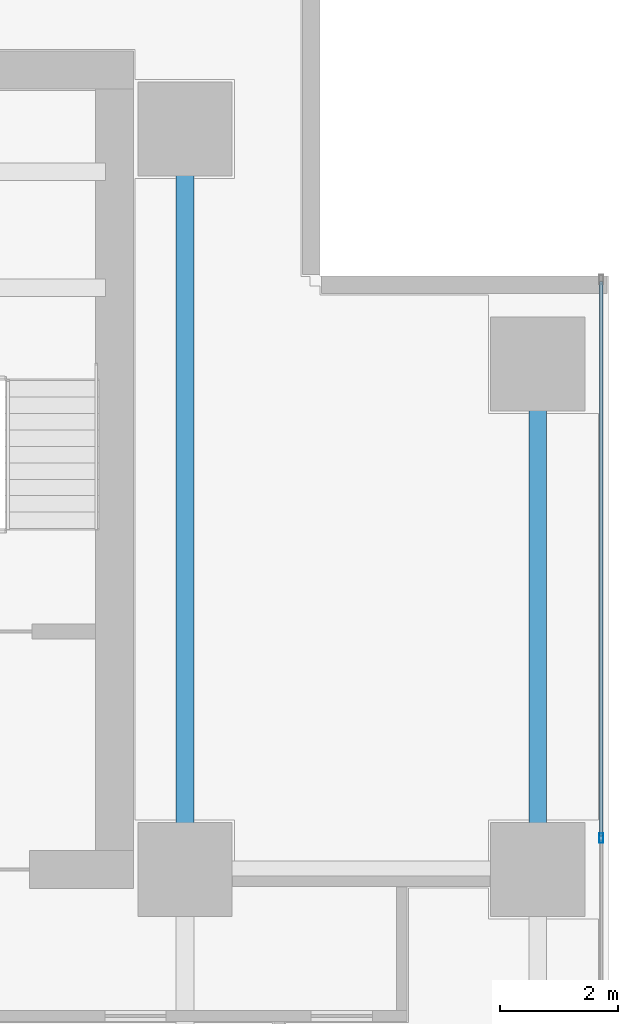
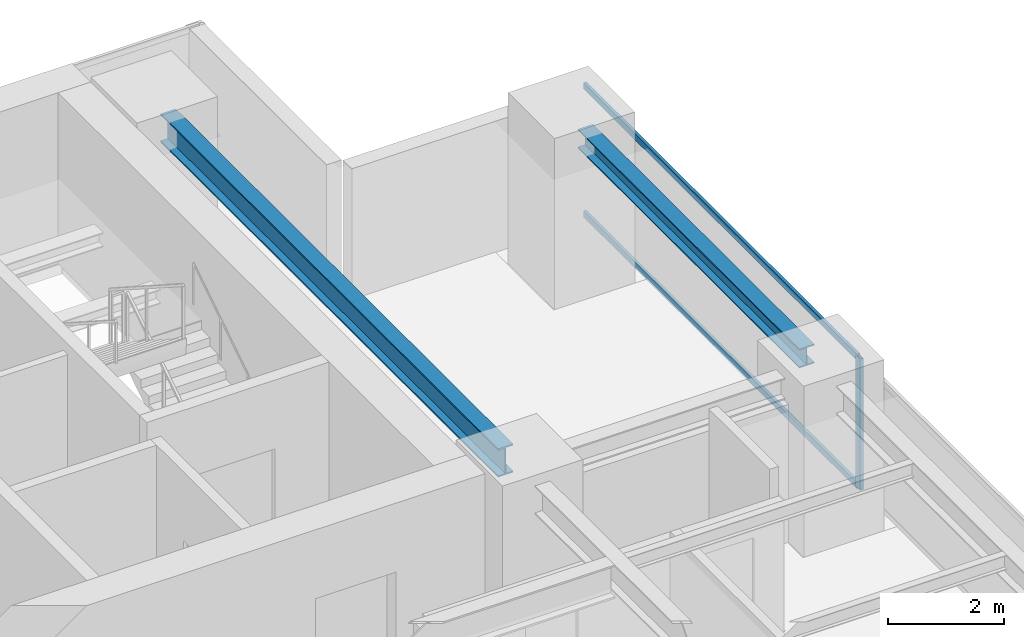
# One storey, part 18 of 28: 3 members, 2 beams, 1 element without a shape of its own.
"""IFC4 building model written with IfcOpenShell, lengths in metres."""

from ifc_helpers import new_model, si_unit, direction, frame, origin, origin_2d, place, context, subcontext, project, spatial, hollow_rectangle, i_section, extrude, source, transform, mapped, material, layer, layer_set, material_profile, profile_set, type_object, element, aggregate, save


model = new_model("IFC4")

# Units and contexts
model_context = context("Model", 3, precision=1e-05, world=origin(), true_north=direction((0.0, 1.0)))
body_context = subcontext(model_context, "Body", "Model", "MODEL_VIEW")
ifc_project = project(units=[si_unit("LENGTHUNIT", "METRE"), si_unit("AREAUNIT", "SQUARE_METRE"), si_unit("VOLUMEUNIT", "CUBIC_METRE"), si_unit("PLANEANGLEUNIT", "RADIAN"), si_unit("MASSUNIT", "GRAM", prefix="KILO")], contexts=[model_context])

# Site, building, storey
site_placement = place(None, origin())
site = spatial("IfcSite", under=ifc_project, at=site_placement, CompositionType="ELEMENT")
building_placement = place(site_placement, origin())
building = spatial("IfcBuilding", under=site, at=building_placement, Name="Sumidabori Civic Tower", CompositionType="ELEMENT")
storey_placement = place(building_placement, frame((0.0, 0.0, 171.199951171875)))
storey = spatial("IfcBuildingStorey", under=building, at=storey_placement, Name="L44", CompositionType="ELEMENT", Elevation=171.199951171875)

# Beams
ifc_material_1 = material(Name="Steel SN490", Category="steel")
ifc_material_profile_1 = material_profile(ifc_material_1, i_section(OverallWidth=0.300048828125, OverallDepth=0.39990234375, WebThickness=0.013427734375, FlangeThickness=0.02392578125, at=origin_2d()), Name="HE 400 B")
ifc_profile_set_1 = profile_set([ifc_material_profile_1], Name="Steel SN490")
beam_type_1 = type_object("IfcBeamType", Name="BM-GIRD-400", PredefinedType="BEAM", material=ifc_profile_set_1)
shared_shape_1 = source(origin(), body_context, "Body", "SweptSolid", [
    extrude(i_section(OverallWidth=0.300048828125, OverallDepth=0.39990234375, WebThickness=0.013427734375, FlangeThickness=0.02392578125, at=origin_2d()), origin(), (0.0, 0.0, 1.0), 7.64013671875),
])
beam_1_placement = place(storey_placement, frame((22.800048828125, 10.679931640625, 3.179931640625), z_axis=(0.0, 1.0, 0.0), x_axis=(-1.0, 0.0, 0.0)))
element("IfcBeam", 1, at=beam_1_placement, inside=storey, type_object=beam_type_1, Name="Primary Girder L44 GY-38", PredefinedType="BEAM", context=body_context, shape_type="MappedRepresentation", body=[
    mapped(shared_shape_1, transform((0.0, 0.0, 0.0), x_axis=(1.0, 0.0, 0.0), y_axis=(0.0, 1.0, 0.0), z_axis=(0.0, 0.0, 1.0), scale=1.0)),
])
ifc_material_profile_2 = material_profile(ifc_material_1, i_section(OverallWidth=0.300048828125, OverallDepth=0.60009765625, WebThickness=0.015380859375, FlangeThickness=0.030029296875, at=origin_2d()), Name="HE 600 B")
ifc_profile_set_2 = profile_set([ifc_material_profile_2], Name="Steel SN490")
beam_type_2 = type_object("IfcBeamType", Name="BM-GIRD-600", PredefinedType="BEAM", material=ifc_profile_set_2)
shared_shape_2 = source(origin(), body_context, "Body", "SweptSolid", [
    extrude(i_section(OverallWidth=0.300048828125, OverallDepth=0.60009765625, WebThickness=0.015380859375, FlangeThickness=0.030029296875, at=origin_2d()), origin(), (0.0, 0.0, 1.0), 11.64013671875),
])
beam_2_placement = place(storey_placement, frame((16.800048828125, 10.679931640625, 3.080078125), z_axis=(0.0, 1.0, 0.0), x_axis=(-1.0, 0.0, 0.0)))
element("IfcBeam", 2, at=beam_2_placement, inside=storey, type_object=beam_type_2, Name="Primary Girder L44 GY-35", PredefinedType="BEAM", context=body_context, shape_type="MappedRepresentation", body=[
    mapped(shared_shape_2, transform((0.0, 0.0, 0.0), x_axis=(1.0, 0.0, 0.0), y_axis=(0.0, 1.0, 0.0), z_axis=(0.0, 0.0, 1.0), scale=1.0)),
])

# Curtain wall, members
ifc_material_2 = material(Name="Anodised Bronze Aluminium AW-6063-T6", Category="aluminium")
ifc_layer = layer(ifc_material_2, 0.179931640625, Name="Anodised Bronze Aluminium AW-6063-T6")
ifc_layer_set = layer_set([ifc_layer], Name="Anodised Bronze Aluminium AW-6063-T6")
curtain_wall_type = type_object("IfcCurtainWallType", Name="CW-SYS-3", PredefinedType="NOTDEFINED", material=ifc_layer_set)
curtain_wall_placement = place(storey_placement, origin())
curtain_wall = element("IfcCurtainWall", 3, at=curtain_wall_placement, inside=storey, type_object=curtain_wall_type, Name="Curtain Wall CW:L44:R04", PredefinedType="NOTDEFINED")
ifc_material_profile_3 = material_profile(ifc_material_2, hollow_rectangle(XDim=0.06494140625, YDim=0.159912109375, WallThickness=0.0048828125, at=origin_2d()), Name="ALU MULLION 160x65")
ifc_profile_set_3 = profile_set([ifc_material_profile_3], Name="Anodised Bronze Aluminium AW-6063-T6")
member_type_1 = type_object("IfcMemberType", Name="CW-MUL-160", PredefinedType="MULLION", material=ifc_profile_set_3)
shared_shape_3 = source(origin(), body_context, "Body", "SweptSolid", [
    extrude(hollow_rectangle(XDim=0.06494140625, YDim=0.159912109375, WallThickness=0.0048828125, at=origin_2d()), origin(), (0.0, 0.0, 1.0), 2.760009765625),
])
member_1_placement = place(storey_placement, frame((23.8798828125, 10.735107421875, 0.0), z_axis=(0.0, 0.0, 1.0), x_axis=(-1.0, 0.0, 0.0)))
member_1 = element("IfcMember", 4, at=member_1_placement, type_object=member_type_1, Name="CW-3 mullion 4", PredefinedType="MULLION", context=body_context, shape_type="MappedRepresentation", body=[
    mapped(shared_shape_3, transform((0.0, 0.0, 0.0), x_axis=(1.0, 0.0, 0.0), y_axis=(0.0, 1.0, 0.0), z_axis=(0.0, 0.0, 1.0), scale=1.0)),
])
ifc_material_profile_4 = material_profile(ifc_material_2, hollow_rectangle(XDim=0.06005859375, YDim=0.1298828125, WallThickness=0.0048828125, at=origin_2d()), Name="ALU TRANSOM 130x60")
ifc_profile_set_4 = profile_set([ifc_material_profile_4], Name="Anodised Bronze Aluminium AW-6063-T6")
member_type_2 = type_object("IfcMemberType", Name="CW-TRN-130", PredefinedType="USERDEFINED", material=ifc_profile_set_4)
shared_shape_4 = source(origin(), body_context, "Body", "SweptSolid", [
    extrude(hollow_rectangle(XDim=0.06005859375, YDim=0.1298828125, WallThickness=0.0048828125, at=origin_2d()), origin(), (0.0, 0.0, 1.0), 9.4375),
])
member_2_placement = place(storey_placement, frame((23.8798828125, 10.767578125, 0.030029296875), z_axis=(0.0, 1.0, 0.0), x_axis=(-1.0, 0.0, 0.0)))
member_2 = element("IfcMember", 5, at=member_2_placement, type_object=member_type_2, Name="CW-3 transom 4.1", ObjectType="TRANSOM", PredefinedType="USERDEFINED", context=body_context, shape_type="MappedRepresentation", body=[
    mapped(shared_shape_4, transform((0.0, 0.0, 0.0), x_axis=(1.0, 0.0, 0.0), y_axis=(0.0, 1.0, 0.0), z_axis=(0.0, 0.0, 1.0), scale=1.0)),
])
member_3_placement = place(storey_placement, frame((23.8798828125, 10.767578125, 2.72998046875), z_axis=(0.0, 1.0, 0.0), x_axis=(-1.0, 0.0, 0.0)))
member_3 = element("IfcMember", 6, at=member_3_placement, type_object=member_type_2, Name="CW-3 transom 4.2", ObjectType="TRANSOM", PredefinedType="USERDEFINED", context=body_context, shape_type="MappedRepresentation", body=[
    mapped(shared_shape_4, transform((0.0, 0.0, 0.0), x_axis=(1.0, 0.0, 0.0), y_axis=(0.0, 1.0, 0.0), z_axis=(0.0, 0.0, 1.0), scale=1.0)),
])
aggregate(curtain_wall, [member_1, member_2, member_3])

save(model, "model.ifc")
